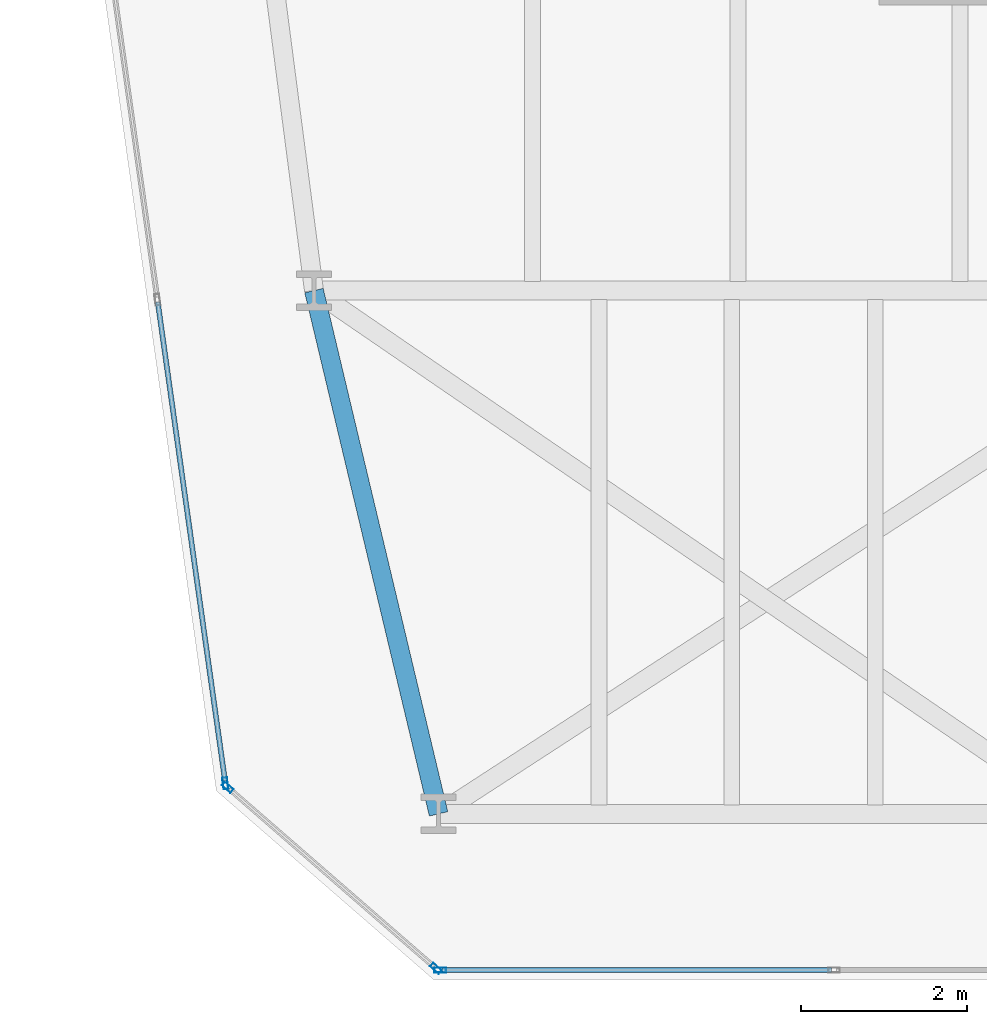
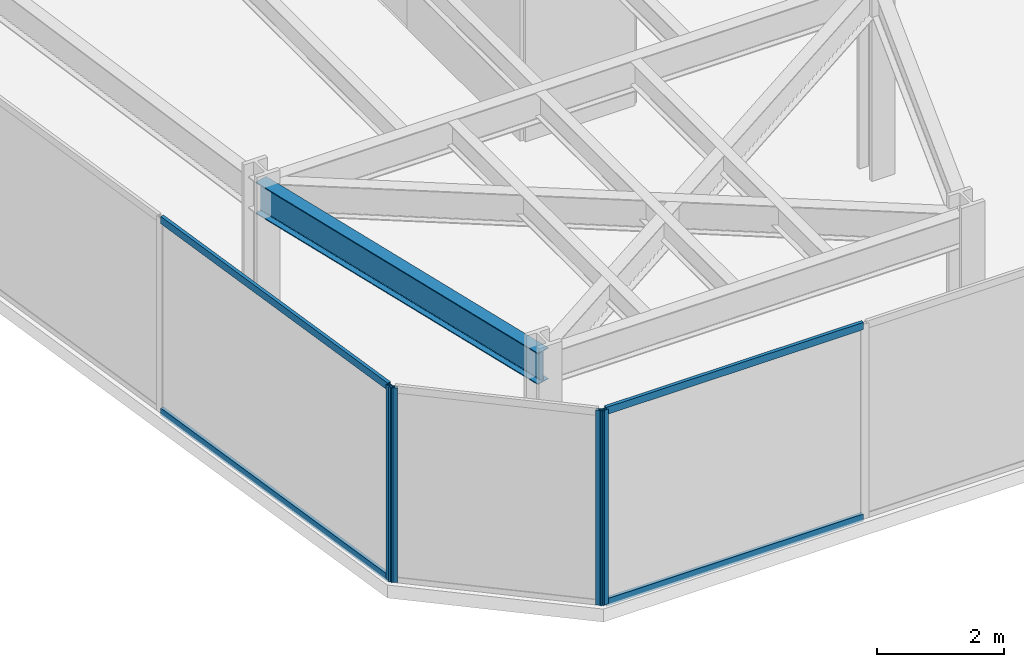
# One storey, part 2 of 26: 8 members, 1 beam, 3 elements without a shape of their own.
"""IFC4 building model written with IfcOpenShell, lengths in metres."""

from ifc_helpers import new_model, si_unit, direction, frame, origin, origin_2d, place, context, subcontext, project, spatial, hollow_rectangle, i_section, extrude, material, layer, layer_set, material_profile, profile_set, type_object, element, aggregate, save


model = new_model("IFC4")

# Units and contexts
model_context = context("Model", 3, precision=1e-05, world=origin(), true_north=direction((0.0, 1.0)))
body_context = subcontext(model_context, "Body", "Model", "MODEL_VIEW")
ifc_project = project(units=[si_unit("LENGTHUNIT", "METRE"), si_unit("AREAUNIT", "SQUARE_METRE"), si_unit("VOLUMEUNIT", "CUBIC_METRE"), si_unit("PLANEANGLEUNIT", "RADIAN"), si_unit("MASSUNIT", "GRAM", prefix="KILO")], contexts=[model_context])

# Site, building, storey
site_placement = place(None, origin())
site = spatial("IfcSite", under=ifc_project, at=site_placement, CompositionType="ELEMENT")
building_placement = place(site_placement, origin())
building = spatial("IfcBuilding", under=site, at=building_placement, Name="Kravanh Interchange Tower", CompositionType="ELEMENT")
storey_placement = place(building_placement, frame((0.0, 0.0, 116.0)))
storey = spatial("IfcBuildingStorey", under=building, at=storey_placement, Name="L27", CompositionType="ELEMENT", Elevation=116.0)

# Curtain wall, member
ifc_material_1 = material(Name="Anodised Bronze Aluminium", Category="aluminium")
ifc_layer = layer(ifc_material_1, 0.179931640625)
ifc_layer_set = layer_set([ifc_layer], Name="Unitised Curtain Wall System CW-Z2 Mid Office")
curtain_wall_type = type_object("IfcCurtainWallType", Name="Unitised Curtain Wall System CW-Z2 Mid Office", PredefinedType="NOTDEFINED", material=ifc_layer_set)
curtain_wall_1_placement = place(storey_placement, origin())
curtain_wall_1 = element("IfcCurtainWall", 1, at=curtain_wall_1_placement, inside=storey, type_object=curtain_wall_type, Name="L27 Unitised Curtain Wall CW-L27-01", PredefinedType="NOTDEFINED")
ifc_material_2 = material(Name="Anodised Bronze Aluminium", Category="aluminium")
ifc_material_profile_1 = material_profile(ifc_material_2, hollow_rectangle(XDim=0.06005859375, YDim=0.139892578125, WallThickness=0.00390625, at=origin_2d()), Name="ALU60X140X4")
ifc_profile_set_1 = profile_set([ifc_material_profile_1], Name="Anodised Bronze Aluminium")
member_type_1 = type_object("IfcMemberType", Name="Curtain Wall Mullion ALU60X140X4 Bronze", PredefinedType="MULLION", material=ifc_profile_set_1)
member_1_placement = place(storey_placement, frame((14.93310546875, 8.568359375, 0.0), z_axis=(0.0, 0.0, 1.0), x_axis=(-0.990268103846, -0.13917285118, 0.0)))
member_1 = element("IfcMember", 2, at=member_1_placement, type_object=member_type_1, Name="CW-Z2 mullion 1", PredefinedType="MULLION", context=body_context, shape_type="SweptSolid", body=[
    extrude(hollow_rectangle(XDim=0.06005859375, YDim=0.139892578125, WallThickness=0.00390625, at=origin_2d()), origin(), (0.0, 0.0, 1.0), 3.75),
])

curtain_wall_2_placement = place(storey_placement, origin())
curtain_wall_2 = element("IfcCurtainWall", 3, at=curtain_wall_2_placement, inside=storey, type_object=curtain_wall_type, Name="L27 Unitised Curtain Wall CW-L27-06", PredefinedType="NOTDEFINED")
member_2_placement = place(storey_placement, frame((17.519775390625, 6.320068359375, 0.0), z_axis=(0.0, 0.0, 1.0), x_axis=(0.0, -1.0, 0.0)))
member_2 = element("IfcMember", 4, at=member_2_placement, type_object=member_type_1, Name="CW-Z2 mullion 3", PredefinedType="MULLION", context=body_context, shape_type="SweptSolid", body=[
    extrude(hollow_rectangle(XDim=0.06005859375, YDim=0.139892578125, WallThickness=0.00390625, at=origin_2d()), origin(), (0.0, 0.0, 1.0), 3.75),
])

# Curtain wall, members
curtain_wall_3_placement = place(storey_placement, origin())
curtain_wall_3 = element("IfcCurtainWall", 5, at=curtain_wall_3_placement, inside=storey, type_object=curtain_wall_type, Name="L27 Unitised Curtain Wall CW-L27-07", PredefinedType="NOTDEFINED")
member_3_placement = place(storey_placement, frame((17.467041015625, 6.339599609375, 0.0), z_axis=(0.0, 0.0, 1.0), x_axis=(-0.656047665617, -0.754719458103, 0.0)))
member_3 = element("IfcMember", 6, at=member_3_placement, type_object=member_type_1, Name="CW-Z2 mullion 1", PredefinedType="MULLION", context=body_context, shape_type="SweptSolid", body=[
    extrude(hollow_rectangle(XDim=0.06005859375, YDim=0.139892578125, WallThickness=0.00390625, at=origin_2d()), origin(), (0.0, 0.0, 1.0), 3.75),
])
member_4_placement = place(storey_placement, frame((14.9599609375, 8.51904296875, 0.0), z_axis=(0.0, 0.0, 1.0), x_axis=(-0.656047665617, -0.754719458103, 0.0)))
member_4 = element("IfcMember", 7, at=member_4_placement, type_object=member_type_1, Name="CW-Z2 mullion 2", PredefinedType="MULLION", context=body_context, shape_type="SweptSolid", body=[
    extrude(hollow_rectangle(XDim=0.06005859375, YDim=0.139892578125, WallThickness=0.00390625, at=origin_2d()), origin(), (0.0, 0.0, 1.0), 3.75),
])
aggregate(curtain_wall_3, [member_3, member_4])

# Member
ifc_material_3 = material(Name="Anodised Bronze Aluminium", Category="aluminium")
ifc_material_profile_2 = material_profile(ifc_material_3, hollow_rectangle(XDim=0.06005859375, YDim=0.139892578125, WallThickness=0.00390625, at=origin_2d()), Name="ALU60X140X4")
ifc_profile_set_2 = profile_set([ifc_material_profile_2], Name="Anodised Bronze Aluminium")
member_type_2 = type_object("IfcMemberType", Name="Curtain Wall Transom ALU60X140X4 Bronze", PredefinedType="USERDEFINED", material=ifc_profile_set_2)
member_5_placement = place(storey_placement, frame((14.928955078125, 8.59814453125, 0.030029296875), z_axis=(-0.139148132783, 0.990271577469, 0.0), x_axis=(-0.990271577469, -0.139148132783, 0.0)))
member_5 = element("IfcMember", 8, at=member_5_placement, type_object=member_type_2, Name="CW-Z2 transom 1.1", ObjectType="TRANSOM", PredefinedType="USERDEFINED", context=body_context, shape_type="SweptSolid", body=[
    extrude(hollow_rectangle(XDim=0.06005859375, YDim=0.139892578125, WallThickness=0.00390625, at=origin_2d()), origin(), (0.0, 0.0, 1.0), 5.81982421875),
])

member_6_placement = place(storey_placement, frame((14.928955078125, 8.59814453125, 3.719970703125), z_axis=(-0.139148132783, 0.990271577469, 0.0), x_axis=(-0.990271577469, -0.139148132783, 0.0)))
member_6 = element("IfcMember", 9, at=member_6_placement, type_object=member_type_2, Name="CW-Z2 transom 1.2", ObjectType="TRANSOM", PredefinedType="USERDEFINED", context=body_context, shape_type="SweptSolid", body=[
    extrude(hollow_rectangle(XDim=0.06005859375, YDim=0.139892578125, WallThickness=0.00390625, at=origin_2d()), origin(), (0.0, 0.0, 1.0), 5.81982421875),
])

aggregate(curtain_wall_1, [member_1, member_5, member_6])

member_7_placement = place(storey_placement, frame((22.232177734375, 6.320068359375, 0.030029296875), z_axis=(-1.0, 0.0, 0.0), x_axis=(0.0, -1.0, 0.0)))
member_7 = element("IfcMember", 10, at=member_7_placement, type_object=member_type_2, Name="CW-Z2 transom 2.1", ObjectType="TRANSOM", PredefinedType="USERDEFINED", context=body_context, shape_type="SweptSolid", body=[
    extrude(hollow_rectangle(XDim=0.06005859375, YDim=0.139892578125, WallThickness=0.00390625, at=origin_2d()), origin(), (0.0, 0.0, 1.0), 4.682373046875),
])

member_8_placement = place(storey_placement, frame((22.232177734375, 6.320068359375, 3.719970703125), z_axis=(-1.0, 0.0, 0.0), x_axis=(0.0, -1.0, 0.0)))
member_8 = element("IfcMember", 11, at=member_8_placement, type_object=member_type_2, Name="CW-Z2 transom 2.2", ObjectType="TRANSOM", PredefinedType="USERDEFINED", context=body_context, shape_type="SweptSolid", body=[
    extrude(hollow_rectangle(XDim=0.06005859375, YDim=0.139892578125, WallThickness=0.00390625, at=origin_2d()), origin(), (0.0, 0.0, 1.0), 4.682373046875),
])

aggregate(curtain_wall_2, [member_2, member_7, member_8])

# Beam
ifc_material_4 = material(Name="Structural Steel S355", Category="steel")
ifc_material_profile_3 = material_profile(ifc_material_4, i_section(OverallWidth=0.22802734375, OverallDepth=0.60791015625, WebThickness=0.01123046875, FlangeThickness=0.017333984375, FilletRadius=0.02197265625, at=origin_2d()), Name="W24X76")
ifc_profile_set_3 = profile_set([ifc_material_profile_3], Name="Structural Steel S355")
beam_type = type_object("IfcBeamType", Name="Floor Spandrel W24X76 Structural Steel S355", PredefinedType="SPANDREL", material=ifc_profile_set_3)
beam_placement = place(storey_placement, frame((17.5, 8.199951171875, 3.446044921875), z_axis=(-0.231618828452, 0.972806619173, 0.0), x_axis=(-0.972806619173, -0.231618828452, 0.0)))
element("IfcBeam", 12, at=beam_placement, inside=storey, type_object=beam_type, Name="L27 Perimeter Spandrel 34", PredefinedType="SPANDREL", context=body_context, shape_type="SweptSolid", body=[
    extrude(i_section(OverallWidth=0.22802734375, OverallDepth=0.60791015625, WebThickness=0.01123046875, FlangeThickness=0.017333984375, FilletRadius=0.02197265625, at=origin_2d()), origin(), (0.0, 0.0, 1.0), 6.47607421875),
])

save(model, "model.ifc")
